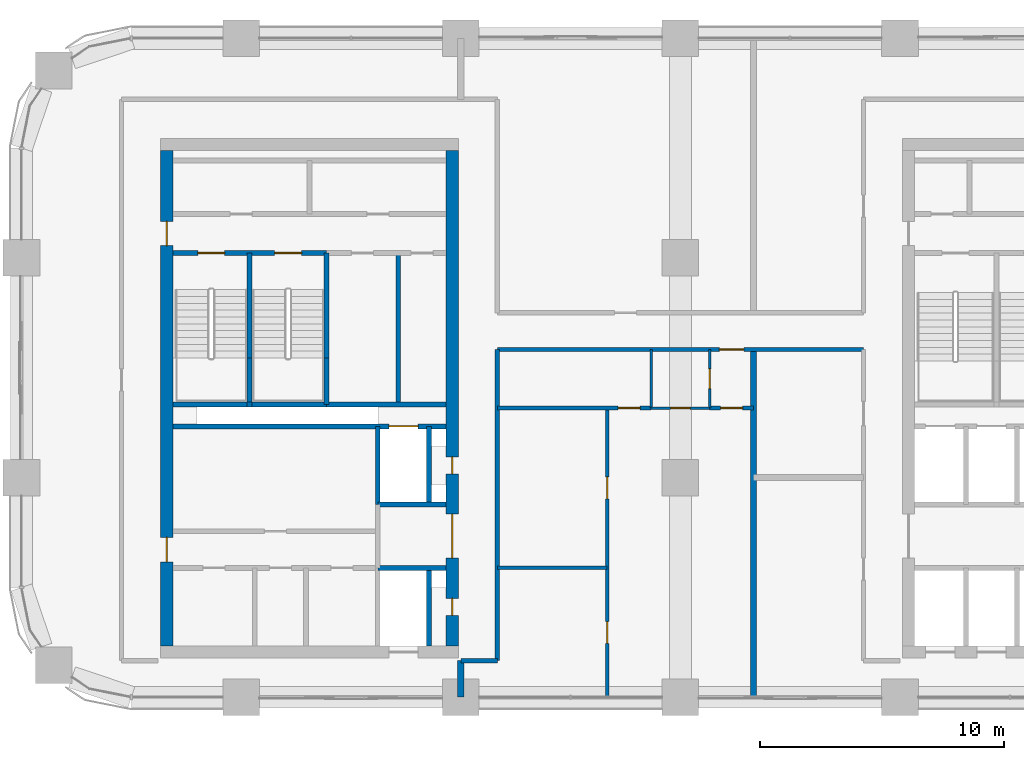
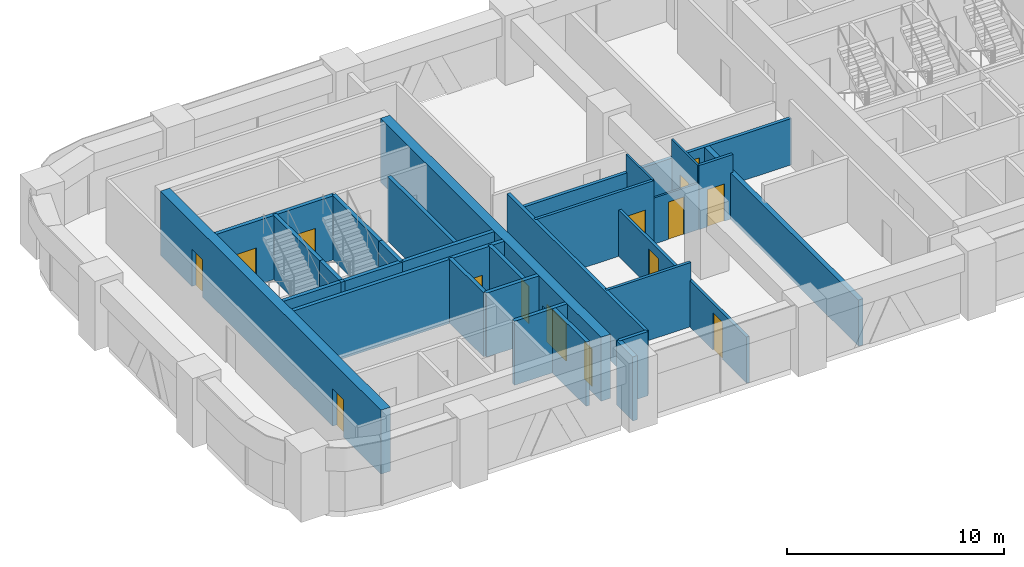
# One storey, part 8 of 18: 30 walls, 15 doors, 15 openings.
"""IFC4 building model written with IfcOpenShell, lengths in metres."""

from ifc_helpers import new_model, si_unit, direction, frame, frame_2d, origin, place, context, subcontext, project, spatial, rectangle, extrude, material, layer, layer_set, type_object, element, fill, save


model = new_model("IFC4")

# Units and contexts
model_context = context("Model", 3, precision=1e-05, world=origin(), true_north=direction((0.0, 1.0)))
body_context = subcontext(model_context, "Body", "Model", "MODEL_VIEW")
ifc_project = project(units=[si_unit("LENGTHUNIT", "METRE"), si_unit("AREAUNIT", "SQUARE_METRE"), si_unit("VOLUMEUNIT", "CUBIC_METRE"), si_unit("PLANEANGLEUNIT", "RADIAN"), si_unit("MASSUNIT", "GRAM", prefix="KILO")], contexts=[model_context])

# Site, building, storey
site_placement = place(None, origin())
site = spatial("IfcSite", under=ifc_project, at=site_placement, CompositionType="ELEMENT")
building_placement = place(site_placement, origin())
building = spatial("IfcBuilding", under=site, at=building_placement, Name="Tessera Arch", CompositionType="ELEMENT")
storey_placement = place(building_placement, frame((0.0, 0.0, 154.39990234375)))
storey = spatial("IfcBuildingStorey", under=building, at=storey_placement, Name="L36", CompositionType="ELEMENT", Elevation=154.39990234375)

# Wall
ifc_material_1 = material(Name="Gypsum board on steel stud", Category="steel")
ifc_layer_1 = layer(ifc_material_1, 0.125)
ifc_layer_set_1 = layer_set([ifc_layer_1], Name="Core partition 125 EI 60")
wall_type_1 = type_object("IfcWallType", Name="Core partition 125 EI 60", PredefinedType="PARTITIONING", material=ifc_layer_set_1)
wall_1_placement = place(storey_placement, frame((15.43994140625, 39.0, 0.0), z_axis=(0.0, 0.0, 1.0), x_axis=(0.0, 1.0, 0.0)))
element("IfcWall", 1, at=wall_1_placement, inside=storey, type_object=wall_type_1, Name="L36 C2 partition wall 11", PredefinedType="PARTITIONING", context=body_context, shape_type="SweptSolid", body=[
    extrude(rectangle(XDim=6.199951171875, YDim=0.199951171875, at=frame_2d((3.10009765625, 0.0))), origin(), (0.0, 0.0, 1.0), 3.60009765625),
])

# Wall, openings, doors
ifc_material_2 = material(Name="Concrete C60/75", Category="concrete")
ifc_layer_2 = layer(ifc_material_2, 0.5)
ifc_layer_set_2 = layer_set([ifc_layer_2], Name="Core shell wall 500 C60-75")
wall_type_2 = type_object("IfcWallType", Name="Core shell wall 500 C60-75", PredefinedType="SHEAR", material=ifc_layer_set_2)
wall_2_placement = place(storey_placement, frame((5.949951171875, 29.10009765625, 0.0), z_axis=(0.0, 0.0, 1.0), x_axis=(0.0, 1.0, 0.0)))
wall_2 = element("IfcWall", 2, at=wall_2_placement, inside=storey, type_object=wall_type_2, Name="L36 C2 core wall W", PredefinedType="SHEAR", context=body_context, shape_type="SweptSolid", body=[
    extrude(rectangle(XDim=20.2998046875, YDim=0.5, at=frame_2d((10.14990234375, 0.0))), origin(), (0.0, 0.0, 1.0), 3.60009765625),
])
opening_1_placement = place(wall_2_placement, frame((3.449951171875, 0.0, 0.0)))
opening_1 = element("IfcOpeningElement", 3, at=opening_1_placement, cuts=wall_2, Name="Opening L36-C28", PredefinedType="OPENING", context=body_context, shape_type="SweptSolid", body=[
    extrude(rectangle(XDim=1.0, YDim=2.10009765625, at=frame_2d((0.5, 1.050048828125))), frame((0.0, 0.260009765625, 0.0), z_axis=(0.0, -1.0, 0.0), x_axis=(1.0, 0.0, 0.0)), (0.0, 0.0, 1.0), 0.52001953125),
])
opening_2_placement = place(wall_2_placement, frame((16.39990234375, 0.0, 0.0)))
opening_2 = element("IfcOpeningElement", 4, at=opening_2_placement, cuts=wall_2, Name="Opening L36-C29", PredefinedType="OPENING", context=body_context, shape_type="SweptSolid", body=[
    extrude(rectangle(XDim=1.0, YDim=2.10009765625, at=frame_2d((0.5, 1.050048828125))), frame((0.0, 0.260009765625, 0.0), z_axis=(0.0, -1.0, 0.0), x_axis=(1.0, 0.0, 0.0)), (0.0, 0.0, 1.0), 0.52001953125),
])
ifc_material_3 = material(Name="Steel door leaf", Category="steel")
door_type_1 = type_object("IfcDoorType", Name="Corridor door FD60 1000 x 2100", OperationType="SINGLE_SWING_LEFT", PredefinedType="DOOR", material=ifc_material_3)
door_1_placement = place(opening_1_placement, origin())
door_1 = element("IfcDoor", 5, at=door_1_placement, inside=storey, type_object=door_type_1, Name="L36 C2 door 8 C28 type D12", OperationType="SINGLE_SWING_LEFT", OverallHeight=2.10009765625, OverallWidth=1.0, PredefinedType="DOOR", context=body_context, shape_type="SweptSolid", body=[
    extrude(rectangle(XDim=1.0, YDim=2.10009765625, at=frame_2d((0.5, 1.050048828125))), frame((0.0, 0.02490234375, 0.0), z_axis=(0.0, -1.0, 0.0), x_axis=(1.0, 0.0, 0.0)), (0.0, 0.0, 1.0), 0.050048828125),
])
fill(opening_1, door_1)
door_2_placement = place(opening_2_placement, origin())
door_2 = element("IfcDoor", 6, at=door_2_placement, inside=storey, type_object=door_type_1, Name="L36 C2 door 9 C29 type D12", OperationType="SINGLE_SWING_RIGHT", OverallHeight=2.10009765625, OverallWidth=1.0, PredefinedType="DOOR", context=body_context, shape_type="SweptSolid", body=[
    extrude(rectangle(XDim=1.0, YDim=2.10009765625, at=frame_2d((0.5, 1.050048828125))), frame((0.0, 0.02490234375, 0.0), z_axis=(0.0, -1.0, 0.0), x_axis=(1.0, 0.0, 0.0)), (0.0, 0.0, 1.0), 0.050048828125),
])
fill(opening_2, door_2)

wall_3_placement = place(storey_placement, frame((17.64990234375, 29.10009765625, 0.0), z_axis=(0.0, 0.0, 1.0), x_axis=(0.0, 1.0, 0.0)))
wall_3 = element("IfcWall", 7, at=wall_3_placement, inside=storey, type_object=wall_type_2, Name="L36 C2 core wall E", PredefinedType="SHEAR", context=body_context, shape_type="SweptSolid", body=[
    extrude(rectangle(XDim=20.2998046875, YDim=0.5, at=frame_2d((10.14990234375, 0.0))), origin(), (0.0, 0.0, 1.0), 3.60009765625),
])
opening_3_placement = place(wall_3_placement, frame((1.25, 0.0, 0.0)))
opening_3 = element("IfcOpeningElement", 8, at=opening_3_placement, cuts=wall_3, Name="Opening L36-C23", PredefinedType="OPENING", context=body_context, shape_type="SweptSolid", body=[
    extrude(rectangle(XDim=0.699951171875, YDim=2.10009765625, at=frame_2d((0.35009765625, 1.050048828125))), frame((0.0, 0.260009765625, 0.0), z_axis=(0.0, -1.0, 0.0), x_axis=(1.0, 0.0, 0.0)), (0.0, 0.0, 1.0), 0.52001953125),
])
opening_4_placement = place(wall_3_placement, frame((7.050048828125, 0.0, 0.0)))
opening_4 = element("IfcOpeningElement", 9, at=opening_4_placement, cuts=wall_3, Name="Opening L36-C24", PredefinedType="OPENING", context=body_context, shape_type="SweptSolid", body=[
    extrude(rectangle(XDim=0.699951171875, YDim=2.10009765625, at=frame_2d((0.35009765625, 1.050048828125))), frame((0.0, 0.260009765625, 0.0), z_axis=(0.0, -1.0, 0.0), x_axis=(1.0, 0.0, 0.0)), (0.0, 0.0, 1.0), 0.52001953125),
])
opening_5_placement = place(wall_3_placement, frame((3.60009765625, 0.0, 0.0)))
opening_5 = element("IfcOpeningElement", 10, at=opening_5_placement, cuts=wall_3, Name="Opening L36-C27", PredefinedType="OPENING", context=body_context, shape_type="SweptSolid", body=[
    extrude(rectangle(XDim=1.800048828125, YDim=2.10009765625, at=frame_2d((0.89990234375, 1.050048828125))), frame((0.0, 0.260009765625, 0.0), z_axis=(0.0, -1.0, 0.0), x_axis=(1.0, 0.0, 0.0)), (0.0, 0.0, 1.0), 0.52001953125),
])
ifc_material_4 = material(Name="Glazed steel door leaf", Category="steel")
door_type_2 = type_object("IfcDoorType", Name="Lobby double door FD30S 1800 x 2100", OperationType="DOUBLE_DOOR_SINGLE_SWING", PredefinedType="DOOR", material=ifc_material_4)
door_3_placement = place(opening_5_placement, origin())
door_3 = element("IfcDoor", 11, at=door_3_placement, inside=storey, type_object=door_type_2, Name="L36 C2 door 7 C27 type D06", OperationType="DOUBLE_DOOR_SINGLE_SWING", OverallHeight=2.10009765625, OverallWidth=1.800048828125, PredefinedType="DOOR", context=body_context, shape_type="SweptSolid", body=[
    extrude(rectangle(XDim=1.800048828125, YDim=2.10009765625, at=frame_2d((0.89990234375, 1.050048828125))), frame((0.0, 0.02490234375, 0.0), z_axis=(0.0, -1.0, 0.0), x_axis=(1.0, 0.0, 0.0)), (0.0, 0.0, 1.0), 0.050048828125),
])
fill(opening_5, door_3)
ifc_material_5 = material(Name="Steel door leaf", Category="steel")
door_type_3 = type_object("IfcDoorType", Name="Service shaft door FD60 700 x 2100", OperationType="SINGLE_SWING_LEFT", PredefinedType="DOOR", material=ifc_material_5)
door_4_placement = place(opening_3_placement, origin())
door_4 = element("IfcDoor", 12, at=door_4_placement, inside=storey, type_object=door_type_3, Name="L36 C2 door 3 C23 type D07", OperationType="SINGLE_SWING_LEFT", OverallHeight=2.10009765625, OverallWidth=0.699951171875, PredefinedType="DOOR", context=body_context, shape_type="SweptSolid", body=[
    extrude(rectangle(XDim=0.699951171875, YDim=2.10009765625, at=frame_2d((0.35009765625, 1.050048828125))), frame((0.0, 0.02490234375, 0.0), z_axis=(0.0, -1.0, 0.0), x_axis=(1.0, 0.0, 0.0)), (0.0, 0.0, 1.0), 0.050048828125),
])
fill(opening_3, door_4)
door_5_placement = place(opening_4_placement, origin())
door_5 = element("IfcDoor", 13, at=door_5_placement, inside=storey, type_object=door_type_3, Name="L36 C2 door 4 C24 type D07", OperationType="SINGLE_SWING_LEFT", OverallHeight=2.10009765625, OverallWidth=0.699951171875, PredefinedType="DOOR", context=body_context, shape_type="SweptSolid", body=[
    extrude(rectangle(XDim=0.699951171875, YDim=2.10009765625, at=frame_2d((0.35009765625, 1.050048828125))), frame((0.0, 0.02490234375, 0.0), z_axis=(0.0, -1.0, 0.0), x_axis=(1.0, 0.0, 0.0)), (0.0, 0.0, 1.0), 0.050048828125),
])
fill(opening_4, door_5)

# Wall
ifc_material_6 = material(Name="Gypsum board on deep steel stud with mineral wool", Category="steel")
ifc_layer_3 = layer(ifc_material_6, 0.175048828125)
ifc_layer_set_3 = layer_set([ifc_layer_3], Name="Corridor wall 175 EI 60")
wall_type_3 = type_object("IfcWallType", Name="Corridor wall 175 EI 60", PredefinedType="PARTITIONING", material=ifc_layer_set_3)
wall_4_placement = place(storey_placement, frame((18.0, 28.5, 0.0), z_axis=(0.0, 0.0, 1.0), x_axis=(1.0, 0.0, 0.0)))
element("IfcWall", 14, at=wall_4_placement, inside=storey, type_object=wall_type_3, Name="L36 partition 2", PredefinedType="PARTITIONING", context=body_context, shape_type="SweptSolid", body=[
    extrude(rectangle(XDim=1.5, YDim=0.175048828125, at=frame_2d((0.75, 0.0))), origin(), (0.0, 0.0, 1.0), 3.60009765625),
])

# Wall, opening, door
wall_5_placement = place(storey_placement, frame((19.5, 41.25, 0.0), z_axis=(0.0, 0.0, 1.0), x_axis=(1.0, 0.0, 0.0)))
wall_5 = element("IfcWall", 15, at=wall_5_placement, inside=storey, type_object=wall_type_3, Name="L36 partition 5", PredefinedType="PARTITIONING", context=body_context, shape_type="SweptSolid", body=[
    extrude(rectangle(XDim=15.0, YDim=0.175048828125, at=frame_2d((7.5, 0.0))), origin(), (0.0, 0.0, 1.0), 2.60009765625),
])
opening_6_placement = place(wall_5_placement, frame((9.10009765625, 0.0, 0.0)))
opening_6 = element("IfcOpeningElement", 16, at=opening_6_placement, cuts=wall_5, Name="Opening L36-D003", PredefinedType="OPENING", context=body_context, shape_type="SweptSolid", body=[
    extrude(rectangle(XDim=1.0, YDim=2.10009765625, at=frame_2d((0.5, 1.050048828125))), frame((0.0, 0.097412109375, 0.0), z_axis=(0.0, -1.0, 0.0), x_axis=(1.0, 0.0, 0.0)), (0.0, 0.0, 1.0), 0.195068359375),
])
ifc_material_7 = material(Name="Fire-rated door leaf")
door_type_4 = type_object("IfcDoorType", Name="Entrance door FD30S 1000 x 2100", OperationType="SINGLE_SWING_LEFT", PredefinedType="DOOR", material=ifc_material_7)
door_6_placement = place(opening_6_placement, origin())
door_6 = element("IfcDoor", 17, at=door_6_placement, inside=storey, type_object=door_type_4, Name="L36 door D003 type D03", OperationType="SINGLE_SWING_RIGHT", OverallHeight=2.10009765625, OverallWidth=1.0, PredefinedType="DOOR", context=body_context, shape_type="SweptSolid", body=[
    extrude(rectangle(XDim=1.0, YDim=2.10009765625, at=frame_2d((0.5, 1.050048828125))), frame((0.0, 0.02490234375, 0.0), z_axis=(0.0, -1.0, 0.0), x_axis=(1.0, 0.0, 0.0)), (0.0, 0.0, 1.0), 0.050048828125),
])
fill(opening_6, door_6)

# Walls
wall_6_placement = place(storey_placement, frame((19.5, 28.5, 0.0), z_axis=(0.0, 0.0, 1.0), x_axis=(0.0, 1.0, 0.0)))
element("IfcWall", 18, at=wall_6_placement, inside=storey, type_object=wall_type_3, Name="L36 partition 10", PredefinedType="PARTITIONING", context=body_context, shape_type="SweptSolid", body=[
    extrude(rectangle(XDim=12.75, YDim=0.175048828125, at=frame_2d((6.375, 0.0))), origin(), (0.0, 0.0, 1.0), 3.60009765625),
])
ifc_material_8 = material(Name="Gypsum board on steel stud", Category="steel")
ifc_layer_4 = layer(ifc_material_8, 0.14990234375)
ifc_layer_set_4 = layer_set([ifc_layer_4], Name="Partition 150")
wall_type_4 = type_object("IfcWallType", Name="Partition 150", PredefinedType="PARTITIONING", material=ifc_layer_set_4)
wall_7_placement = place(storey_placement, frame((19.5, 32.303955078125, 0.0), z_axis=(0.0, 0.0, 1.0), x_axis=(1.0, 0.0, 0.0)))
element("IfcWall", 19, at=wall_7_placement, inside=storey, type_object=wall_type_4, Name="L36 partition 15", PredefinedType="PARTITIONING", context=body_context, shape_type="SweptSolid", body=[
    extrude(rectangle(XDim=4.5, YDim=0.14990234375, at=frame_2d((2.25, 0.0))), origin(), (0.0, 0.0, 1.0), 3.60009765625),
])

# Wall, opening, door
wall_8_placement = place(storey_placement, frame((19.5, 38.85009765625, 0.0), z_axis=(0.0, 0.0, 1.0), x_axis=(1.0, 0.0, 0.0)))
wall_8 = element("IfcWall", 20, at=wall_8_placement, inside=storey, type_object=wall_type_4, Name="L36 partition 16", PredefinedType="PARTITIONING", context=body_context, shape_type="SweptSolid", body=[
    extrude(rectangle(XDim=6.300048828125, YDim=0.14990234375, at=frame_2d((3.14990234375, 0.0))), origin(), (0.0, 0.0, 1.0), 3.60009765625),
])
opening_7_placement = place(wall_8_placement, frame((4.949951171875, 0.0, 0.0)))
opening_7 = element("IfcOpeningElement", 21, at=opening_7_placement, cuts=wall_8, Name="Opening L36-D007", PredefinedType="OPENING", context=body_context, shape_type="SweptSolid", body=[
    extrude(rectangle(XDim=0.89990234375, YDim=2.10009765625, at=frame_2d((0.449951171875, 1.050048828125))), frame((0.0, 0.0849609375, 0.0), z_axis=(0.0, -1.0, 0.0), x_axis=(1.0, 0.0, 0.0)), (0.0, 0.0, 1.0), 0.169921875),
])
ifc_material_9 = material(Name="Timber door leaf", Category="wood")
door_type_5 = type_object("IfcDoorType", Name="Room door 900 x 2100", OperationType="SINGLE_SWING_LEFT", PredefinedType="DOOR", material=ifc_material_9)
door_7_placement = place(opening_7_placement, origin())
door_7 = element("IfcDoor", 22, at=door_7_placement, inside=storey, type_object=door_type_5, Name="L36 door D007 type D01", OperationType="SINGLE_SWING_LEFT", OverallHeight=2.10009765625, OverallWidth=0.89990234375, PredefinedType="DOOR", context=body_context, shape_type="SweptSolid", body=[
    extrude(rectangle(XDim=0.89990234375, YDim=2.10009765625, at=frame_2d((0.449951171875, 1.050048828125))), frame((0.0, 0.02490234375, 0.0), z_axis=(0.0, -1.0, 0.0), x_axis=(1.0, 0.0, 0.0)), (0.0, 0.0, 1.0), 0.050048828125),
])
fill(opening_7, door_7)

wall_9_placement = place(storey_placement, frame((28.199951171875, 38.85009765625, 0.0), z_axis=(0.0, 0.0, 1.0), x_axis=(1.0, 0.0, 0.0)))
wall_9 = element("IfcWall", 23, at=wall_9_placement, inside=storey, type_object=wall_type_4, Name="L36 partition 17", PredefinedType="PARTITIONING", context=body_context, shape_type="SweptSolid", body=[
    extrude(rectangle(XDim=1.800048828125, YDim=0.14990234375, at=frame_2d((0.89990234375, 0.0))), origin(), (0.0, 0.0, 1.0), 3.60009765625),
])
opening_8_placement = place(wall_9_placement, frame((0.449951171875, 0.0, 0.0)))
opening_8 = element("IfcOpeningElement", 24, at=opening_8_placement, cuts=wall_9, Name="Opening L36-D004", PredefinedType="OPENING", context=body_context, shape_type="SweptSolid", body=[
    extrude(rectangle(XDim=0.89990234375, YDim=2.10009765625, at=frame_2d((0.449951171875, 1.050048828125))), frame((0.0, 0.0849609375, 0.0), z_axis=(0.0, -1.0, 0.0), x_axis=(1.0, 0.0, 0.0)), (0.0, 0.0, 1.0), 0.169921875),
])
door_8_placement = place(opening_8_placement, origin())
door_8 = element("IfcDoor", 25, at=door_8_placement, inside=storey, type_object=door_type_5, Name="L36 door D004 type D01", OperationType="SINGLE_SWING_LEFT", OverallHeight=2.10009765625, OverallWidth=0.89990234375, PredefinedType="DOOR", context=body_context, shape_type="SweptSolid", body=[
    extrude(rectangle(XDim=0.89990234375, YDim=2.10009765625, at=frame_2d((0.449951171875, 1.050048828125))), frame((0.0, 0.02490234375, 0.0), z_axis=(0.0, -1.0, 0.0), x_axis=(1.0, 0.0, 0.0)), (0.0, 0.0, 1.0), 0.050048828125),
])
fill(opening_8, door_8)

# Wall, openings, doors
wall_10_placement = place(storey_placement, frame((24.0, 27.0, 0.0), z_axis=(0.0, 0.0, 1.0), x_axis=(0.0, 1.0, 0.0)))
wall_10 = element("IfcWall", 26, at=wall_10_placement, inside=storey, type_object=wall_type_4, Name="L36 partition 18", PredefinedType="PARTITIONING", context=body_context, shape_type="SweptSolid", body=[
    extrude(rectangle(XDim=11.85009765625, YDim=0.14990234375, at=frame_2d((5.925048828125, 0.0))), origin(), (0.0, 0.0, 1.0), 2.60009765625),
])
opening_9_placement = place(wall_10_placement, frame((8.127197265625, 0.0, 0.0)))
opening_9 = element("IfcOpeningElement", 27, at=opening_9_placement, cuts=wall_10, Name="Opening L36-D008", PredefinedType="OPENING", context=body_context, shape_type="SweptSolid", body=[
    extrude(rectangle(XDim=0.89990234375, YDim=2.10009765625, at=frame_2d((0.449951171875, 1.050048828125))), frame((0.0, 0.0849609375, 0.0), z_axis=(0.0, -1.0, 0.0), x_axis=(1.0, 0.0, 0.0)), (0.0, 0.0, 1.0), 0.169921875),
])
opening_10_placement = place(wall_10_placement, frame((2.2021484375, 0.0, 0.0)))
opening_10 = element("IfcOpeningElement", 28, at=opening_10_placement, cuts=wall_10, Name="Opening L36-D009", PredefinedType="OPENING", context=body_context, shape_type="SweptSolid", body=[
    extrude(rectangle(XDim=0.89990234375, YDim=2.10009765625, at=frame_2d((0.449951171875, 1.050048828125))), frame((0.0, 0.0849609375, 0.0), z_axis=(0.0, -1.0, 0.0), x_axis=(1.0, 0.0, 0.0)), (0.0, 0.0, 1.0), 0.169921875),
])
door_9_placement = place(opening_9_placement, origin())
door_9 = element("IfcDoor", 29, at=door_9_placement, inside=storey, type_object=door_type_5, Name="L36 door D008 type D01", OperationType="SINGLE_SWING_LEFT", OverallHeight=2.10009765625, OverallWidth=0.89990234375, PredefinedType="DOOR", context=body_context, shape_type="SweptSolid", body=[
    extrude(rectangle(XDim=0.89990234375, YDim=2.10009765625, at=frame_2d((0.449951171875, 1.050048828125))), frame((0.0, 0.02490234375, 0.0), z_axis=(0.0, -1.0, 0.0), x_axis=(1.0, 0.0, 0.0)), (0.0, 0.0, 1.0), 0.050048828125),
])
fill(opening_9, door_9)
door_10_placement = place(opening_10_placement, origin())
door_10 = element("IfcDoor", 30, at=door_10_placement, inside=storey, type_object=door_type_5, Name="L36 door D009 type D01", OperationType="SINGLE_SWING_LEFT", OverallHeight=2.10009765625, OverallWidth=0.89990234375, PredefinedType="DOOR", context=body_context, shape_type="SweptSolid", body=[
    extrude(rectangle(XDim=0.89990234375, YDim=2.10009765625, at=frame_2d((0.449951171875, 1.050048828125))), frame((0.0, 0.02490234375, 0.0), z_axis=(0.0, -1.0, 0.0), x_axis=(1.0, 0.0, 0.0)), (0.0, 0.0, 1.0), 0.050048828125),
])
fill(opening_10, door_10)

# Walls
ifc_material_10 = material(Name="Double gypsum board on twin steel stud with acoustic mineral wool", Category="steel")
ifc_layer_5 = layer(ifc_material_10, 0.25)
ifc_layer_set_5 = layer_set([ifc_layer_5], Name="Party wall 250 EI 60")
wall_type_5 = type_object("IfcWallType", Name="Party wall 250 EI 60", PredefinedType="PARTITIONING", material=ifc_layer_set_5)
wall_11_placement = place(storey_placement, frame((18.0, 27.0, 0.0), z_axis=(0.0, 0.0, 1.0), x_axis=(0.0, 1.0, 0.0)))
element("IfcWall", 31, at=wall_11_placement, inside=storey, type_object=wall_type_5, Name="L36 partition 21", PredefinedType="PARTITIONING", context=body_context, shape_type="SweptSolid", body=[
    extrude(rectangle(XDim=1.5, YDim=0.25, at=frame_2d((0.75, 0.0))), origin(), (0.0, 0.0, 1.0), 3.60009765625),
])
wall_12_placement = place(storey_placement, frame((30.0, 27.0, 0.0), z_axis=(0.0, 0.0, 1.0), x_axis=(0.0, 1.0, 0.0)))
element("IfcWall", 32, at=wall_12_placement, inside=storey, type_object=wall_type_5, Name="L36 partition 23", PredefinedType="PARTITIONING", context=body_context, shape_type="SweptSolid", body=[
    extrude(rectangle(XDim=14.25, YDim=0.25, at=frame_2d((7.125, 0.0))), origin(), (0.0, 0.0, 1.0), 2.60009765625),
])
ifc_material_11 = material(Name="Concrete C40/50", Category="concrete")
ifc_layer_6 = layer(ifc_material_11, 0.199951171875)
ifc_layer_set_6 = layer_set([ifc_layer_6], Name="Shaft wall 200 EI 120")
wall_type_6 = type_object("IfcWallType", Name="Shaft wall 200 EI 120", PredefinedType="SOLIDWALL", material=ifc_layer_set_6)
wall_13_placement = place(storey_placement, frame((14.60009765625, 34.89990234375, 0.0), z_axis=(0.0, 0.0, 1.0), x_axis=(0.0, 1.0, 0.0)))
element("IfcWall", 33, at=wall_13_placement, inside=storey, type_object=wall_type_6, Name="L36 C2 shaft wall 10", PredefinedType="SOLIDWALL", context=body_context, shape_type="SweptSolid", body=[
    extrude(rectangle(XDim=3.2001953125, YDim=0.199951171875, at=frame_2d((1.60009765625, 0.0))), origin(), (0.0, 0.0, 1.0), 3.60009765625),
])
wall_14_placement = place(storey_placement, frame((16.699951171875, 29.10009765625, 0.0), z_axis=(0.0, 0.0, 1.0), x_axis=(0.0, 1.0, 0.0)))
element("IfcWall", 34, at=wall_14_placement, inside=storey, type_object=wall_type_6, Name="L36 C2 shaft wall 12", PredefinedType="SOLIDWALL", context=body_context, shape_type="SweptSolid", body=[
    extrude(rectangle(XDim=3.199951171875, YDim=0.199951171875, at=frame_2d((1.60009765625, 0.0))), origin(), (0.0, 0.0, 1.0), 3.60009765625),
])
wall_15_placement = place(storey_placement, frame((16.699951171875, 34.89990234375, 0.0), z_axis=(0.0, 0.0, 1.0), x_axis=(0.0, 1.0, 0.0)))
element("IfcWall", 35, at=wall_15_placement, inside=storey, type_object=wall_type_6, Name="L36 C2 shaft wall 13", PredefinedType="SOLIDWALL", context=body_context, shape_type="SweptSolid", body=[
    extrude(rectangle(XDim=3.2001953125, YDim=0.199951171875, at=frame_2d((1.60009765625, 0.0))), origin(), (0.0, 0.0, 1.0), 3.60009765625),
])
for number, where, z_axis, x_axis, name in (
    (36, (14.60009765625, 32.300048828125, 0.0), (0.0, 0.0, 1.0), (1.0, 0.0, 0.0), "L36 C2 shaft wall 15"),
    (37, (14.60009765625, 34.89990234375, 0.0), (0.0, 0.0, 1.0), (1.0, 0.0, 0.0), "L36 C2 shaft wall 17"),
):
    element("IfcWall", number, at=place(storey_placement, frame(where, z_axis=z_axis, x_axis=x_axis)), inside=storey, type_object=wall_type_6, Name=name, PredefinedType="SOLIDWALL", context=body_context, shape_type="SweptSolid", body=[
        extrude(rectangle(XDim=2.7998046875, YDim=0.199951171875, at=frame_2d((1.39990234375, 0.0))), origin(), (0.0, 0.0, 1.0), 3.60009765625),
    ])

# Wall, opening, door
wall_16_placement = place(storey_placement, frame((6.199951171875, 38.10009765625, 0.0), z_axis=(0.0, 0.0, 1.0), x_axis=(1.0, 0.0, 0.0)))
wall_16 = element("IfcWall", 38, at=wall_16_placement, inside=storey, type_object=wall_type_6, Name="L36 C2 shaft wall 18", PredefinedType="SOLIDWALL", context=body_context, shape_type="SweptSolid", body=[
    extrude(rectangle(XDim=11.199951171875, YDim=0.199951171875, at=frame_2d((5.60009765625, 0.0))), origin(), (0.0, 0.0, 1.0), 3.60009765625),
])
opening_11_placement = place(wall_16_placement, frame((8.85009765625, 0.0, 0.0)))
opening_11 = element("IfcOpeningElement", 39, at=opening_11_placement, cuts=wall_16, Name="Opening L36-C22", PredefinedType="OPENING", context=body_context, shape_type="SweptSolid", body=[
    extrude(rectangle(XDim=1.199951171875, YDim=2.10009765625, at=frame_2d((0.60009765625, 1.050048828125))), frame((0.0, 0.10986328125, 0.0), z_axis=(0.0, -1.0, 0.0), x_axis=(1.0, 0.0, 0.0)), (0.0, 0.0, 1.0), 0.219970703125),
])
ifc_material_12 = material(Name="Stainless steel AISI 304", Category="steel")
door_type_6 = type_object("IfcDoorType", Name="Sliding landing door 1200 x 2100", OperationType="SLIDING_TO_LEFT", PredefinedType="DOOR", material=ifc_material_12)
door_11_placement = place(opening_11_placement, origin())
door_11 = element("IfcDoor", 40, at=door_11_placement, inside=storey, type_object=door_type_6, Name="L36 HR8 lift landing door C22 type LD", OperationType="SLIDING_TO_LEFT", OverallHeight=2.10009765625, OverallWidth=1.199951171875, PredefinedType="DOOR", context=body_context, shape_type="SweptSolid", body=[
    extrude(rectangle(XDim=1.199951171875, YDim=2.10009765625, at=frame_2d((0.60009765625, 1.050048828125))), frame((0.0, 0.02490234375, 0.0), z_axis=(0.0, -1.0, 0.0), x_axis=(1.0, 0.0, 0.0)), (0.0, 0.0, 1.0), 0.050048828125),
])
fill(opening_11, door_11)

# Walls
wall_17_placement = place(storey_placement, frame((12.5, 39.0, 0.0), z_axis=(0.0, 0.0, 1.0), x_axis=(1.0, 0.0, 0.0)))
element("IfcWall", 41, at=wall_17_placement, inside=storey, type_object=wall_type_6, Name="L36 C2 shaft wall 19", PredefinedType="SOLIDWALL", context=body_context, shape_type="SweptSolid", body=[
    extrude(rectangle(XDim=4.89990234375, YDim=0.199951171875, at=frame_2d((2.449951171875, 0.0))), origin(), (0.0, 0.0, 1.0), 3.60009765625),
])
ifc_material_13 = material(Name="Concrete C40/50", Category="concrete")
ifc_layer_7 = layer(ifc_material_13, 0.199951171875)
ifc_layer_set_7 = layer_set([ifc_layer_7], Name="Stair well wall 200 REI 180")
wall_type_7 = type_object("IfcWallType", Name="Stair well wall 200 REI 180", PredefinedType="SOLIDWALL", material=ifc_layer_set_7)
wall_18_placement = place(storey_placement, frame((9.35009765625, 39.0, 0.0), z_axis=(0.0, 0.0, 1.0), x_axis=(0.0, 1.0, 0.0)))
element("IfcWall", 42, at=wall_18_placement, inside=storey, type_object=wall_type_7, Name="L36 C2 shaft wall 1", PredefinedType="SOLIDWALL", context=body_context, shape_type="SweptSolid", body=[
    extrude(rectangle(XDim=1.89990234375, YDim=0.199951171875, at=frame_2d((0.949951171875, 0.0))), origin(), (0.0, 0.0, 1.0), 3.60009765625),
])
wall_19_placement = place(storey_placement, frame((9.35009765625, 40.89990234375, 0.0), z_axis=(0.0, 0.0, 1.0), x_axis=(0.0, 1.0, 0.0)))
element("IfcWall", 43, at=wall_19_placement, inside=storey, type_object=wall_type_7, Name="L36 C2 shaft wall 2", PredefinedType="SOLIDWALL", context=body_context, shape_type="SweptSolid", body=[
    extrude(rectangle(XDim=4.300048828125, YDim=0.199951171875, at=frame_2d((2.14990234375, 0.0))), origin(), (0.0, 0.0, 1.0), 3.60009765625),
])
wall_20_placement = place(storey_placement, frame((12.5, 39.0, 0.0), z_axis=(0.0, 0.0, 1.0), x_axis=(0.0, 1.0, 0.0)))
element("IfcWall", 44, at=wall_20_placement, inside=storey, type_object=wall_type_7, Name="L36 C2 shaft wall 6", PredefinedType="SOLIDWALL", context=body_context, shape_type="SweptSolid", body=[
    extrude(rectangle(XDim=1.89990234375, YDim=0.199951171875, at=frame_2d((0.949951171875, 0.0))), origin(), (0.0, 0.0, 1.0), 3.60009765625),
])
wall_21_placement = place(storey_placement, frame((12.5, 40.89990234375, 0.0), z_axis=(0.0, 0.0, 1.0), x_axis=(0.0, 1.0, 0.0)))
element("IfcWall", 45, at=wall_21_placement, inside=storey, type_object=wall_type_7, Name="L36 C2 shaft wall 7", PredefinedType="SOLIDWALL", context=body_context, shape_type="SweptSolid", body=[
    extrude(rectangle(XDim=4.300048828125, YDim=0.199951171875, at=frame_2d((2.14990234375, 0.0))), origin(), (0.0, 0.0, 1.0), 3.60009765625),
])
wall_22_placement = place(storey_placement, frame((6.199951171875, 39.0, 0.0), z_axis=(0.0, 0.0, 1.0), x_axis=(1.0, 0.0, 0.0)))
element("IfcWall", 46, at=wall_22_placement, inside=storey, type_object=wall_type_7, Name="L36 C2 shaft wall 20", PredefinedType="SOLIDWALL", context=body_context, shape_type="SweptSolid", body=[
    extrude(rectangle(XDim=3.050048828125, YDim=0.199951171875, at=frame_2d((1.52490234375, 0.0))), origin(), (0.0, 0.0, 1.0), 3.60009765625),
])
wall_23_placement = place(storey_placement, frame((9.25, 39.0, 0.0), z_axis=(0.0, 0.0, 1.0), x_axis=(1.0, 0.0, 0.0)))
element("IfcWall", 47, at=wall_23_placement, inside=storey, type_object=wall_type_7, Name="L36 C2 shaft wall 21", PredefinedType="SOLIDWALL", context=body_context, shape_type="SweptSolid", body=[
    extrude(rectangle(XDim=0.199951171875, YDim=0.199951171875, at=frame_2d((0.10009765625, 0.0))), origin(), (0.0, 0.0, 1.0), 3.60009765625),
])
wall_24_placement = place(storey_placement, frame((9.449951171875, 39.0, 0.0), z_axis=(0.0, 0.0, 1.0), x_axis=(1.0, 0.0, 0.0)))
element("IfcWall", 48, at=wall_24_placement, inside=storey, type_object=wall_type_7, Name="L36 C2 shaft wall 22", PredefinedType="SOLIDWALL", context=body_context, shape_type="SweptSolid", body=[
    extrude(rectangle(XDim=3.050048828125, YDim=0.199951171875, at=frame_2d((1.52490234375, 0.0))), origin(), (0.0, 0.0, 1.0), 3.60009765625),
])

# Wall, openings, doors
wall_25_placement = place(storey_placement, frame((6.199951171875, 45.199951171875, 0.0), z_axis=(0.0, 0.0, 1.0), x_axis=(1.0, 0.0, 0.0)))
wall_25 = element("IfcWall", 49, at=wall_25_placement, inside=storey, type_object=wall_type_7, Name="L36 C2 shaft wall 24", PredefinedType="SOLIDWALL", context=body_context, shape_type="SweptSolid", body=[
    extrude(rectangle(XDim=6.300048828125, YDim=0.199951171875, at=frame_2d((3.14990234375, 0.0))), origin(), (0.0, 0.0, 1.0), 3.60009765625),
])
opening_12_placement = place(wall_25_placement, frame((1.02490234375, 0.0, 0.0)))
opening_12 = element("IfcOpeningElement", 50, at=opening_12_placement, cuts=wall_25, Name="Opening L36-C25", PredefinedType="OPENING", context=body_context, shape_type="SweptSolid", body=[
    extrude(rectangle(XDim=1.10009765625, YDim=2.10009765625, at=frame_2d((0.550048828125, 1.050048828125))), frame((0.0, 0.10986328125, 0.0), z_axis=(0.0, -1.0, 0.0), x_axis=(1.0, 0.0, 0.0)), (0.0, 0.0, 1.0), 0.219970703125),
])
opening_13_placement = place(wall_25_placement, frame((4.175048828125, 0.0, 0.0)))
opening_13 = element("IfcOpeningElement", 51, at=opening_13_placement, cuts=wall_25, Name="Opening L36-C26", PredefinedType="OPENING", context=body_context, shape_type="SweptSolid", body=[
    extrude(rectangle(XDim=1.10009765625, YDim=2.10009765625, at=frame_2d((0.550048828125, 1.050048828125))), frame((0.0, 0.10986328125, 0.0), z_axis=(0.0, -1.0, 0.0), x_axis=(1.0, 0.0, 0.0)), (0.0, 0.0, 1.0), 0.219970703125),
])
ifc_material_14 = material(Name="Steel door leaf", Category="steel")
door_type_7 = type_object("IfcDoorType", Name="Stair door FD60 1100 x 2100", OperationType="SINGLE_SWING_LEFT", PredefinedType="DOOR", material=ifc_material_14)
door_12_placement = place(opening_12_placement, origin())
door_12 = element("IfcDoor", 52, at=door_12_placement, inside=storey, type_object=door_type_7, Name="L36 C2 door 5 C25 type D05", OperationType="SINGLE_SWING_LEFT", OverallHeight=2.10009765625, OverallWidth=1.10009765625, PredefinedType="DOOR", context=body_context, shape_type="SweptSolid", body=[
    extrude(rectangle(XDim=1.10009765625, YDim=2.10009765625, at=frame_2d((0.550048828125, 1.050048828125))), frame((0.0, 0.02490234375, 0.0), z_axis=(0.0, -1.0, 0.0), x_axis=(1.0, 0.0, 0.0)), (0.0, 0.0, 1.0), 0.050048828125),
])
fill(opening_12, door_12)
door_13_placement = place(opening_13_placement, origin())
door_13 = element("IfcDoor", 53, at=door_13_placement, inside=storey, type_object=door_type_7, Name="L36 C2 door 6 C26 type D05", OperationType="SINGLE_SWING_RIGHT", OverallHeight=2.10009765625, OverallWidth=1.10009765625, PredefinedType="DOOR", context=body_context, shape_type="SweptSolid", body=[
    extrude(rectangle(XDim=1.10009765625, YDim=2.10009765625, at=frame_2d((0.550048828125, 1.050048828125))), frame((0.0, 0.02490234375, 0.0), z_axis=(0.0, -1.0, 0.0), x_axis=(1.0, 0.0, 0.0)), (0.0, 0.0, 1.0), 0.050048828125),
])
fill(opening_13, door_13)

# Wall, opening, door
ifc_material_15 = material(Name="Moisture-resistant board on pre-plumbed steel stud", Category="steel")
ifc_layer_8 = layer(ifc_material_15, 0.10009765625)
ifc_layer_set_8 = layer_set([ifc_layer_8], Name="Wet wall 100")
wall_type_8 = type_object("IfcWallType", Name="Wet wall 100", PredefinedType="PARTITIONING", material=ifc_layer_set_8)
wall_26_placement = place(storey_placement, frame((25.800048828125, 38.85009765625, 0.0), z_axis=(0.0, 0.0, 1.0), x_axis=(1.0, 0.0, 0.0)))
wall_26 = element("IfcWall", 54, at=wall_26_placement, inside=storey, type_object=wall_type_8, Name="L36 partition 27", PredefinedType="PARTITIONING", context=body_context, shape_type="SweptSolid", body=[
    extrude(rectangle(XDim=2.39990234375, YDim=0.10009765625, at=frame_2d((1.199951171875, 0.0))), origin(), (0.0, 0.0, 1.0), 2.60009765625),
])
opening_14_placement = place(wall_26_placement, frame((0.800048828125, 0.0, 0.0)))
opening_14 = element("IfcOpeningElement", 55, at=opening_14_placement, cuts=wall_26, Name="Opening L36-D006", PredefinedType="OPENING", context=body_context, shape_type="SweptSolid", body=[
    extrude(rectangle(XDim=0.800048828125, YDim=2.10009765625, at=frame_2d((0.39990234375, 1.050048828125))), frame((0.0, 0.06005859375, 0.0), z_axis=(0.0, -1.0, 0.0), x_axis=(1.0, 0.0, 0.0)), (0.0, 0.0, 1.0), 0.1201171875),
])
ifc_material_16 = material(Name="Timber door leaf", Category="wood")
door_type_8 = type_object("IfcDoorType", Name="En-suite door 800 x 2100", OperationType="SINGLE_SWING_LEFT", PredefinedType="DOOR", material=ifc_material_16)
door_14_placement = place(opening_14_placement, origin())
door_14 = element("IfcDoor", 56, at=door_14_placement, inside=storey, type_object=door_type_8, Name="L36 door D006 type D02", OperationType="SINGLE_SWING_RIGHT", OverallHeight=2.10009765625, OverallWidth=0.800048828125, PredefinedType="DOOR", context=body_context, shape_type="SweptSolid", body=[
    extrude(rectangle(XDim=0.800048828125, YDim=2.10009765625, at=frame_2d((0.39990234375, 1.050048828125))), frame((0.0, 0.02490234375, 0.0), z_axis=(0.0, -1.0, 0.0), x_axis=(1.0, 0.0, 0.0)), (0.0, 0.0, 1.0), 0.050048828125),
])
fill(opening_14, door_14)

# Wall
wall_27_placement = place(storey_placement, frame((25.800048828125, 38.85009765625, 0.0), z_axis=(0.0, 0.0, 1.0), x_axis=(0.0, 1.0, 0.0)))
element("IfcWall", 57, at=wall_27_placement, inside=storey, type_object=wall_type_8, Name="L36 partition 28", PredefinedType="PARTITIONING", context=body_context, shape_type="SweptSolid", body=[
    extrude(rectangle(XDim=2.39990234375, YDim=0.10009765625, at=frame_2d((1.199951171875, 0.0))), origin(), (0.0, 0.0, 1.0), 3.60009765625),
])

# Wall, opening, door
wall_28_placement = place(storey_placement, frame((28.199951171875, 38.85009765625, 0.0), z_axis=(0.0, 0.0, 1.0), x_axis=(0.0, 1.0, 0.0)))
wall_28 = element("IfcWall", 58, at=wall_28_placement, inside=storey, type_object=wall_type_8, Name="L36 partition 29", PredefinedType="PARTITIONING", context=body_context, shape_type="SweptSolid", body=[
    extrude(rectangle(XDim=2.39990234375, YDim=0.10009765625, at=frame_2d((1.199951171875, 0.0))), origin(), (0.0, 0.0, 1.0), 3.60009765625),
])
opening_15_placement = place(wall_28_placement, frame((0.800048828125, 0.0, 0.0)))
opening_15 = element("IfcOpeningElement", 59, at=opening_15_placement, cuts=wall_28, Name="Opening L36-D005", PredefinedType="OPENING", context=body_context, shape_type="SweptSolid", body=[
    extrude(rectangle(XDim=0.800048828125, YDim=2.10009765625, at=frame_2d((0.39990234375, 1.050048828125))), frame((0.0, 0.06005859375, 0.0), z_axis=(0.0, -1.0, 0.0), x_axis=(1.0, 0.0, 0.0)), (0.0, 0.0, 1.0), 0.1201171875),
])
door_15_placement = place(opening_15_placement, origin())
door_15 = element("IfcDoor", 60, at=door_15_placement, inside=storey, type_object=door_type_8, Name="L36 door D005 type D02", OperationType="SINGLE_SWING_LEFT", OverallHeight=2.10009765625, OverallWidth=0.800048828125, PredefinedType="DOOR", context=body_context, shape_type="SweptSolid", body=[
    extrude(rectangle(XDim=0.800048828125, YDim=2.10009765625, at=frame_2d((0.39990234375, 1.050048828125))), frame((0.0, 0.02490234375, 0.0), z_axis=(0.0, -1.0, 0.0), x_axis=(1.0, 0.0, 0.0)), (0.0, 0.0, 1.0), 0.050048828125),
])
fill(opening_15, door_15)

save(model, "model.ifc")
